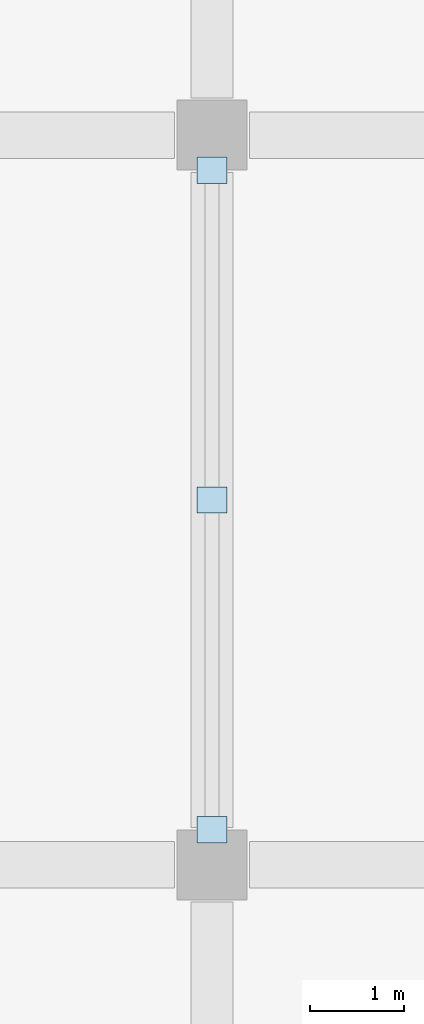
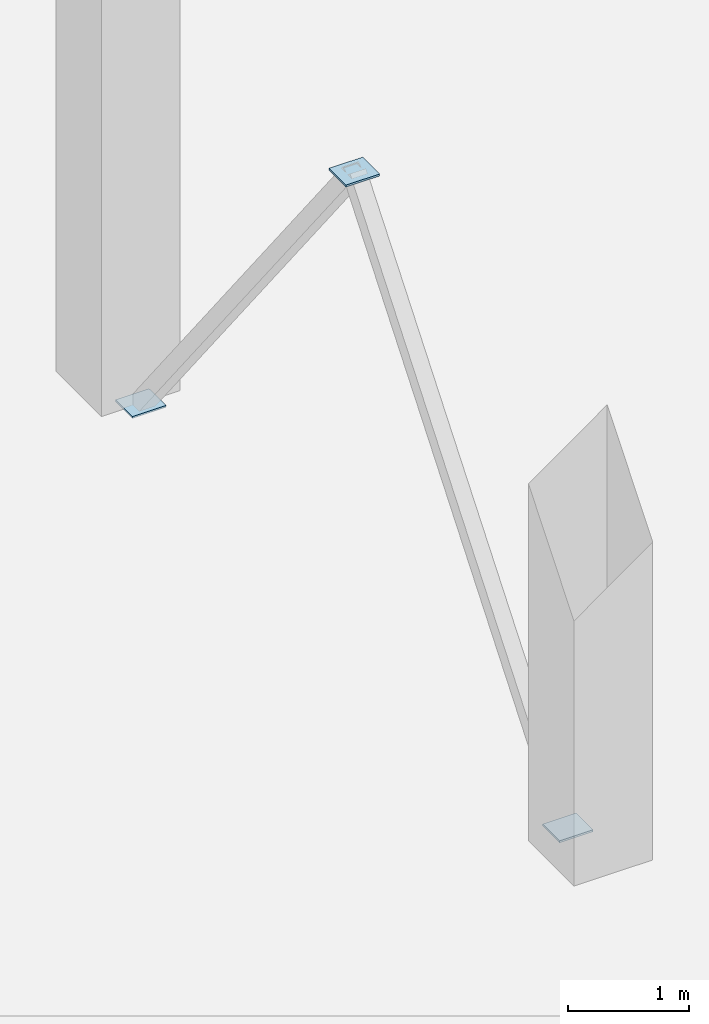
# One storey, part 59 of 78: 3 plates.
"""IFC4 building model written with IfcOpenShell, lengths in metres."""

from ifc_helpers import new_model, si_unit, direction, frame, origin, origin_2d, place, context, subcontext, project, spatial, rectangle, extrude, material, layer, layer_set, type_object, element, save


model = new_model("IFC4")

# Units and contexts
model_context = context("Model", 3, precision=1e-05, world=origin(), true_north=direction((0.0, 1.0)))
body_context = subcontext(model_context, "Body", "Model", "MODEL_VIEW")
ifc_project = project(units=[si_unit("LENGTHUNIT", "METRE"), si_unit("AREAUNIT", "SQUARE_METRE"), si_unit("VOLUMEUNIT", "CUBIC_METRE"), si_unit("PLANEANGLEUNIT", "RADIAN"), si_unit("MASSUNIT", "GRAM", prefix="KILO")], contexts=[model_context])

# Site, building, storey
site_placement = place(None, origin())
site = spatial("IfcSite", under=ifc_project, at=site_placement, CompositionType="ELEMENT")
building_placement = place(site_placement, origin())
building = spatial("IfcBuilding", under=site, at=building_placement, Name="Pellamere Symphony Hall", CompositionType="ELEMENT")
storey_placement = place(building_placement, origin())
storey = spatial("IfcBuildingStorey", under=building, at=storey_placement, Name="L00", CompositionType="ELEMENT", Elevation=0.0)

# Plates
ifc_material = material(Name="Steel CSA G40.21 350W", Category="steel")
ifc_layer = layer(ifc_material, 0.02001953125, Name="Steel CSA G40.21 350W")
ifc_layer_set = layer_set([ifc_layer], Name="Steel CSA G40.21 350W")
plate_type = type_object("IfcPlateType", Name="Steel Connection Plate KP-06 320x280x20", PredefinedType="SHEET", material=ifc_layer_set)
for number, where, z_axis, x_axis, name in (
    (1, (164.39990234375, 54.375, -0.010009765625), (0.0, 0.0, 1.0), (1.0, 0.0, 0.0), "Brace End Cap Plate 172"),
    (2, (164.39990234375, 61.425048828125, -0.010009765625), (0.0, 0.0, 1.0), (1.0, 0.0, 0.0), "Brace End Cap Plate 173"),
    (3, (164.39990234375, 57.89990234375, 4.4599609375), (0.0, 0.0, 1.0), (1.0, 0.0, 0.0), "Brace End Cap Plate 174"),
):
    element("IfcPlate", number, at=place(storey_placement, frame(where, z_axis=z_axis, x_axis=x_axis)), inside=storey, type_object=plate_type, Name=name, PredefinedType="SHEET", context=body_context, shape_type="SweptSolid", body=[
        extrude(rectangle(XDim=0.320068359375, YDim=0.280029296875, at=origin_2d()), origin(), (0.0, 0.0, 1.0), 0.02001953125),
    ])

save(model, "model.ifc")
